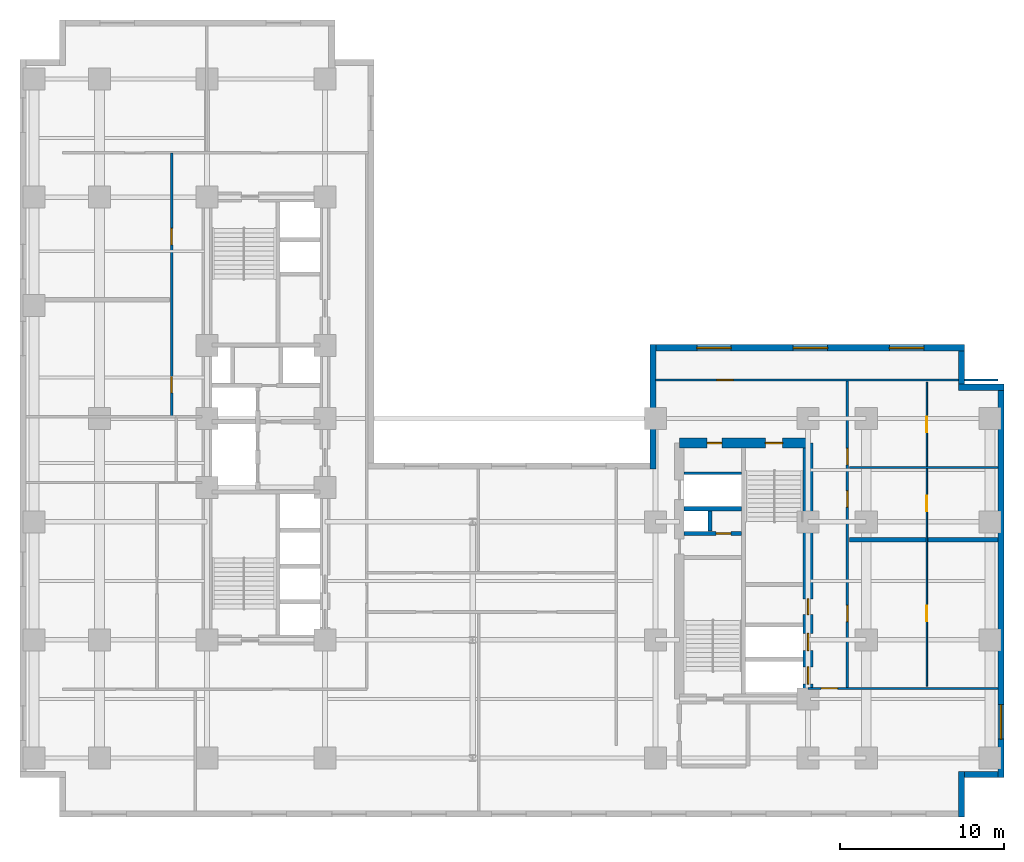
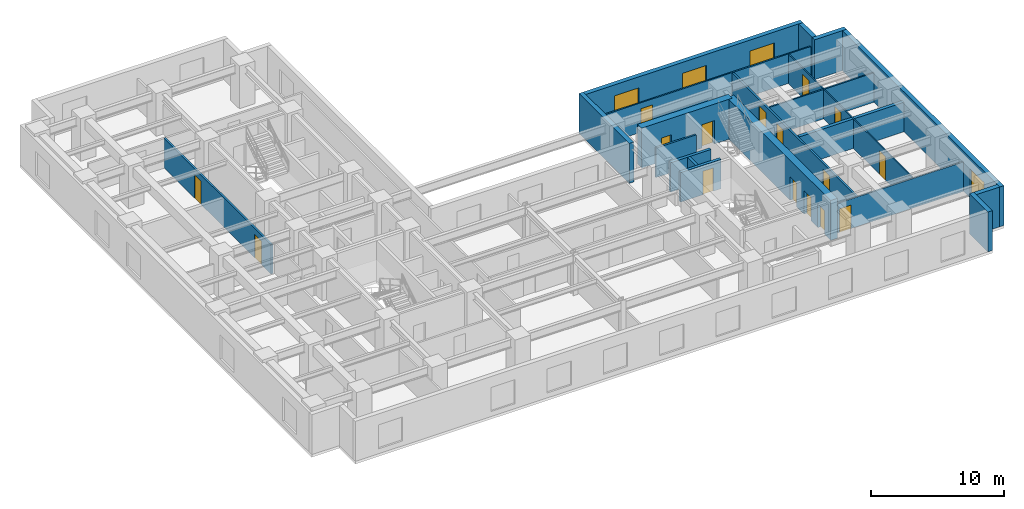
# One storey, part 5 of 9: 20 walls, 16 doors, 4 windows, 20 openings.
"""IFC4 building model written with IfcOpenShell, lengths in metres."""

import ifcopenshell
import ifcopenshell.guid

model = None  # the IFC model being written
_history = None  # IfcOwnerHistory: only IFC2X3 demands one
_inside = {}  # id of a spatial element -> (the spatial element, [elements in it])
_under = {}  # id of a project, library or spatial element -> (it, [spatial elements below it])
_declared = {}  # id of a project -> (the project, [libraries it declares])
_typed = {}  # id of a type object -> (the type object, [elements of that type])
_made_of = {}  # id of a material, layer set ... -> (it, [elements and type objects made of it])


def new_model(schema):
    """Start an empty IFC model of exactly this schema.

    Asked for "IFC4X3", IfcOpenShell would pick the latest addendum, in which some entities
    have other attributes; the version numbers below select the first issue.
    IFC2X3 requires an IfcOwnerHistory on every rooted entity: one is made here for all.
    """
    global model, _history
    if schema == "IFC4X3":
        model = ifcopenshell.file(schema_version=(4, 3, 0, 0))
    else:
        model = ifcopenshell.file(schema=schema)
    _inside.clear()
    _under.clear()
    _declared.clear()
    _typed.clear()
    _made_of.clear()
    _history = None
    if model.schema == "IFC2X3":
        org = make("IfcOrganization", Name="unknown")
        user = make(
            "IfcPersonAndOrganization",
            ThePerson=make("IfcPerson", FamilyName="unknown"),
            TheOrganization=org,
        )
        app = make(
            "IfcApplication",
            ApplicationDeveloper=org,
            Version="unknown",
            ApplicationFullName="unknown",
            ApplicationIdentifier="unknown",
        )
        _history = make(
            "IfcOwnerHistory",
            OwningUser=user,
            OwningApplication=app,
            ChangeAction="ADDED",
            CreationDate=0,
        )
    return model


def make(cls, **values):
    """One entity of the class cls with the attributes given. An attribute that is None is left unset."""
    return model.create_entity(
        cls, **{name: value for name, value in values.items() if value is not None}
    )


def entity(cls, *values):
    """Any entity or typed value of the class cls, its attributes in the order of the schema. None: left unset."""
    e = model.create_entity(cls)
    for i, value in enumerate(values):
        if value is not None:
            e[i] = value
    return e


def rooted(cls, **values):
    """An entity with a GlobalId (a new one), such as an element, a storey or a relation."""
    return make(cls, GlobalId=ifcopenshell.guid.new(), OwnerHistory=_history, **values)


def si_unit(unit_type, name, prefix=None):
    """IfcSIUnit, for example si_unit("LENGTHUNIT", "METRE", prefix="MILLI")."""
    return make("IfcSIUnit", UnitType=unit_type, Prefix=prefix, Name=name)


def converted_unit(unit_type, name, factor, base, dimensions=None, offset=None):
    """IfcConversionBasedUnit, such as the inch: factor (a typed value) times the base unit."""
    return make(
        "IfcConversionBasedUnit"
        if offset is None
        else "IfcConversionBasedUnitWithOffset",
        ConversionOffset=offset,
        Dimensions=None
        if dimensions is None
        else entity("IfcDimensionalExponents", *dimensions),
        UnitType=unit_type,
        Name=name,
        ConversionFactor=make(
            "IfcMeasureWithUnit", ValueComponent=factor, UnitComponent=base
        ),
    )


def assignment(units):
    """IfcUnitAssignment: the units of a project."""
    return None if units is None else make("IfcUnitAssignment", Units=units)


def point(xyz):
    """IfcCartesianPoint."""
    return None if xyz is None else make("IfcCartesianPoint", Coordinates=xyz)


def direction(xyz):
    """IfcDirection."""
    return None if xyz is None else make("IfcDirection", DirectionRatios=xyz)


def frame(location, z_axis=None, x_axis=None):
    """IfcAxis2Placement3D, a coordinate frame: its origin and axes. An axis left out is left unset."""
    return make(
        "IfcAxis2Placement3D",
        Location=point(location),
        Axis=direction(z_axis),
        RefDirection=direction(x_axis),
    )


def frame_2d(location, x_axis=None):
    """IfcAxis2Placement2D, a coordinate frame in the plane: its origin and x axis."""
    return make(
        "IfcAxis2Placement2D", Location=point(location), RefDirection=direction(x_axis)
    )


def origin_with_axes():
    """The frame at (0, 0, 0) with the z axis (0, 0, 1) and the x axis (1, 0, 0) written out."""
    return frame((0.0, 0.0, 0.0), z_axis=(0.0, 0.0, 1.0), x_axis=(1.0, 0.0, 0.0))


def origin_2d_with_axis():
    """The frame at (0, 0) in the plane with the x axis (1, 0) written out."""
    return frame_2d((0.0, 0.0), x_axis=(1.0, 0.0))


def place(relative_to, where):
    """IfcLocalPlacement: puts the frame where relative to a parent placement (None: the world)."""
    return make(
        "IfcLocalPlacement", PlacementRelTo=relative_to, RelativePlacement=where
    )


def context(
    kind, dimensions, precision=None, world=None, true_north=None, identifier=None
):
    """IfcGeometricRepresentationContext, for example the 3D "Model" context."""
    return make(
        "IfcGeometricRepresentationContext",
        ContextIdentifier=identifier,
        ContextType=kind,
        CoordinateSpaceDimension=dimensions,
        Precision=precision,
        WorldCoordinateSystem=world,
        TrueNorth=true_north,
    )


def subcontext(parent, identifier, kind, view, scale=None):
    """IfcGeometricRepresentationSubContext, for example "Body" below "Model"."""
    return make(
        "IfcGeometricRepresentationSubContext",
        ContextIdentifier=identifier,
        ContextType=kind,
        ParentContext=parent,
        TargetScale=scale,
        TargetView=view,
    )


def project(units=None, contexts=None):
    """IfcProject with its units and contexts."""
    return rooted(
        "IfcProject",
        Name="project",
        RepresentationContexts=contexts,
        UnitsInContext=assignment(units),
    )


def spatial(cls, under=None, at=None, **own):
    """A site, building, storey or space (cls), placed at a placement, below another one or the project."""
    s = rooted(cls, ObjectPlacement=at, **own)
    if under is not None:
        _under.setdefault(under.id(), (under, []))[1].append(s)
    return s


def polyline(points):
    """IfcPolyline through the points."""
    return make("IfcPolyline", Points=[point(p) for p in points])


def profile(cls, at=None, kind="AREA", **sizes):
    """A parametric profile (cls). Its sizes go by their IFC names, for example OverallWidth=200.0."""
    return make(cls, ProfileType=kind, Position=at, **sizes)


def rectangle(**sizes):
    """IfcRectangleProfileDef."""
    return profile("IfcRectangleProfileDef", **sizes)


def outline(outer, holes=None, kind="AREA"):
    """IfcArbitraryClosedProfileDef: a profile drawn as a closed curve; with holes, ...WithVoids."""
    if holes is None:
        return make("IfcArbitraryClosedProfileDef", ProfileType=kind, OuterCurve=outer)
    return make(
        "IfcArbitraryProfileDefWithVoids",
        ProfileType=kind,
        OuterCurve=outer,
        InnerCurves=holes,
    )


def extrude(swept, where, along, depth):
    """IfcExtrudedAreaSolid: the profile swept, set in the frame where, extruded along a direction by depth."""
    return make(
        "IfcExtrudedAreaSolid",
        SweptArea=swept,
        Position=where,
        ExtrudedDirection=direction(along),
        Depth=depth,
    )


def shape(context_of_items, identifier, shape_type, items):
    """IfcShapeRepresentation: the items that make up one representation, for example the "Body"."""
    return make(
        "IfcShapeRepresentation",
        ContextOfItems=context_of_items,
        RepresentationIdentifier=identifier,
        RepresentationType=shape_type,
        Items=items,
    )


def material(Name=None, Category=None):
    """IfcMaterial."""
    return make("IfcMaterial", Name=Name, Category=Category)


def layer(
    of_material, thickness, ventilated=None, Name=None, Category=None, Priority=None
):
    """IfcMaterialLayer: one layer of a wall or slab, of a material (None: an air gap)."""
    return make(
        "IfcMaterialLayer",
        Material=of_material,
        LayerThickness=thickness,
        IsVentilated=ventilated,
        Name=Name,
        Category=Category,
        Priority=Priority,
    )


def layer_set(layers, Name=None):
    """IfcMaterialLayerSet."""
    return make("IfcMaterialLayerSet", MaterialLayers=layers, LayerSetName=Name)


def made_of(thing, what):
    """Note that an element or type object is made of a material, layer set ...; save() writes the relation."""
    if what is not None:
        _made_of.setdefault(what.id(), (what, []))[1].append(thing)
    return thing


def type_object(cls, material=None, **own):
    """A type object (cls), such as IfcWallType, which elements share."""
    return made_of(rooted(cls, **own), material)


def element(
    cls,
    number,
    at=None,
    inside=None,
    cuts=None,
    type_object=None,
    material=None,
    context=None,
    identifier="Body",
    shape_type=None,
    held_by="IfcProductDefinitionShape",
    body=None,
    shapes=None,
    **own,
):
    """One element of the class cls, such as IfcWall. Its Tag is "e" and its number.

    at: its placement. inside: the storey or other place that contains it. cuts: it is an
    opening in that element (IfcRelVoidsElement). A single representation is given by context,
    identifier, shape_type and body (its items); several are given by shapes. held_by: the class
    of the entity that holds the representations. save() writes the other relations.
    """
    e = rooted(cls, Tag="e%d" % number, ObjectPlacement=at, **own)
    if body is not None:
        shapes = [shape(context, identifier, shape_type, body)]
    if shapes is not None:
        e.Representation = make(held_by, Representations=shapes)
    if inside is not None:
        _inside.setdefault(inside.id(), (inside, []))[1].append(e)
    if cuts is not None:
        rooted(
            "IfcRelVoidsElement", RelatingBuildingElement=cuts, RelatedOpeningElement=e
        )
    if type_object is not None:
        _typed.setdefault(type_object.id(), (type_object, []))[1].append(e)
    return made_of(e, material)


def fill(opening, filler):
    """IfcRelFillsElement: the door or window that sits in an opening."""
    return rooted(
        "IfcRelFillsElement",
        RelatingOpeningElement=opening,
        RelatedBuildingElement=filler,
    )


def aggregate(whole, parts):
    """IfcRelAggregates: a whole, such as a stair, and the parts it consists of."""
    return rooted("IfcRelAggregates", RelatingObject=whole, RelatedObjects=parts)


def save(model, path):
    """Write the relations noted so far, then the file.

    IfcRelAggregates (storeys below a building ...), IfcRelContainedInSpatialStructure (elements
    in a storey), IfcRelDefinesByType, IfcRelAssociatesMaterial and IfcRelDeclares: one each for
    every whole, place, type object, material and project.
    """
    for whole, parts in _under.values():
        aggregate(whole, parts)
    for where, things in _inside.values():
        rooted(
            "IfcRelContainedInSpatialStructure",
            RelatedElements=things,
            RelatingStructure=where,
        )
    for kind, things in _typed.values():
        rooted("IfcRelDefinesByType", RelatedObjects=things, RelatingType=kind)
    for what, things in _made_of.values():
        rooted("IfcRelAssociatesMaterial", RelatedObjects=things, RelatingMaterial=what)
    for by, libraries in _declared.values():
        rooted("IfcRelDeclares", RelatingContext=by, RelatedDefinitions=libraries)
    model.write(path)


model = new_model("IFC4")

# Units and contexts
model_context = context("Model", 3, precision=1e-05, world=origin_with_axes(), true_north=direction((0.0, 1.0)))
body_context = subcontext(model_context, "Body", "Model", "MODEL_VIEW")
ifc_project = project(units=[si_unit("LENGTHUNIT", "METRE"), si_unit("AREAUNIT", "SQUARE_METRE"), si_unit("VOLUMEUNIT", "CUBIC_METRE"), converted_unit("PLANEANGLEUNIT", "DEGREE", entity("IfcPlaneAngleMeasure", 0.017453292519943295), si_unit("PLANEANGLEUNIT", "RADIAN"), dimensions=[0, 0, 0, 0, 0, 0, 0]), si_unit("MASSUNIT", "GRAM", prefix="KILO"), si_unit("THERMODYNAMICTEMPERATUREUNIT", "KELVIN")], contexts=[model_context])

# Site, building, storey
site_placement = place(None, origin_with_axes())
site = spatial("IfcSite", under=ifc_project, at=site_placement, CompositionType="ELEMENT")
building_placement = place(site_placement, origin_with_axes())
building = spatial("IfcBuilding", under=site, at=building_placement, Name="Varnlund Millrace Tower", CompositionType="ELEMENT")
storey_placement = place(building_placement, frame((0.0, 0.0, 36.6), z_axis=(0.0, 0.0, 1.0), x_axis=(1.0, 0.0, 0.0)))
storey = spatial("IfcBuildingStorey", under=building, at=storey_placement, Name="L08", CompositionType="ELEMENT", Elevation=36.6)

# Wall, openings, doors
ifc_material_1 = material(Name="Concrete C80/95", Category="concrete")
ifc_layer_1 = layer(ifc_material_1, 0.6, Name="Concrete C80/95")
ifc_layer_set_1 = layer_set([ifc_layer_1], Name="Concrete C80/95")
wall_type_1 = type_object("IfcWallType", Name="Type-CoreWall-Shear-600-C80", PredefinedType="SHEAR", material=ifc_layer_set_1)
wall_1_placement = place(storey_placement, frame((40.2, 22.8, 0.0), z_axis=(0.0, 0.0, 1.0), x_axis=(1.0, 0.0, 0.0)))
wall_1 = element("IfcWall", 1, at=wall_1_placement, inside=storey, type_object=wall_type_1, Name="Type-CoreWall-Shear-600-C80", PredefinedType="SHEAR", context=body_context, shape_type="SweptSolid", body=[
    extrude(outline(polyline([(0.0, -0.3), (7.85, -0.3), (7.85, 0.3), (0.0, 0.3), (0.0, -0.3)])), origin_with_axes(), (0.0, 0.0, 1.0), 3.66),
])
opening_1_placement = place(wall_1_placement, frame((5.775, 0.0, 0.0), z_axis=(0.0, 0.0, 1.0), x_axis=(1.0, 0.0, 0.0)))
opening_1 = element("IfcOpeningElement", 2, at=opening_1_placement, cuts=wall_1, Name="Opening L08:DR-STB2", PredefinedType="OPENING", context=body_context, shape_type="SweptSolid", body=[
    extrude(rectangle(XDim=1.05, YDim=0.62, at=origin_2d_with_axis()), origin_with_axes(), (0.0, 0.0, 1.0), 2.15),
])
opening_2_placement = place(wall_1_placement, frame((2.15, 0.0, 0.0), z_axis=(0.0, 0.0, 1.0), x_axis=(1.0, 0.0, 0.0)))
opening_2 = element("IfcOpeningElement", 3, at=opening_2_placement, cuts=wall_1, Name="Opening L08:DR-CB-NW", PredefinedType="OPENING", context=body_context, shape_type="SweptSolid", body=[
    extrude(rectangle(XDim=0.9, YDim=0.62, at=origin_2d_with_axis()), origin_with_axes(), (0.0, 0.0, 1.0), 2.15),
])
ifc_material_2 = material(Name="Fire-rated hollow steel service closet door", Category="steel")
door_type_1 = type_object("IfcDoorType", Name="Type-FireDoor-Closet-900X2150", OperationType="NOTDEFINED", PredefinedType="DOOR", material=ifc_material_2)
door_1_placement = place(wall_1_placement, frame((2.15, 0.0, 0.0), z_axis=(0.0, 0.0, 1.0), x_axis=(1.0, 0.0, 0.0)))
door_1 = element("IfcDoor", 4, at=door_1_placement, inside=storey, type_object=door_type_1, Name="Type-FireDoor-Closet-900X2150", OperationType="SINGLE_SWING_LEFT", OverallHeight=2.15, OverallWidth=0.9, PredefinedType="DOOR", context=body_context, shape_type="SweptSolid", body=[
    extrude(rectangle(XDim=0.9, YDim=0.09, at=origin_2d_with_axis()), origin_with_axes(), (0.0, 0.0, 1.0), 2.15),
])
fill(opening_2, door_1)
ifc_material_3 = material(Name="Fire-rated hollow steel door", Category="steel")
door_type_2 = type_object("IfcDoorType", Name="Type-FireDoor-Stair-1050X2150", OperationType="NOTDEFINED", PredefinedType="DOOR", material=ifc_material_3)
door_2_placement = place(wall_1_placement, frame((5.775, 0.0, 0.0), z_axis=(0.0, 0.0, 1.0), x_axis=(1.0, 0.0, 0.0)))
door_2 = element("IfcDoor", 5, at=door_2_placement, inside=storey, type_object=door_type_2, Name="Type-FireDoor-Stair-1050X2150", OperationType="SINGLE_SWING_RIGHT", OverallHeight=2.15, OverallWidth=1.05, PredefinedType="DOOR", context=body_context, shape_type="SweptSolid", body=[
    extrude(rectangle(XDim=1.05, YDim=0.09, at=origin_2d_with_axis()), origin_with_axes(), (0.0, 0.0, 1.0), 2.15),
])
fill(opening_1, door_2)

wall_2_placement = place(storey_placement, frame((48.05, 7.2, 0.0), z_axis=(0.0, 0.0, 1.0), x_axis=(0.0, 1.0, 0.0)))
wall_2 = element("IfcWall", 6, at=wall_2_placement, inside=storey, type_object=wall_type_1, Name="Type-CoreWall-Shear-600-C80", PredefinedType="SHEAR", context=body_context, shape_type="SweptSolid", body=[
    extrude(outline(polyline([(0.0, -0.3), (15.6, -0.3), (15.6, 0.3), (0.0, 0.3), (0.0, -0.3)])), origin_with_axes(), (0.0, 0.0, 1.0), 3.66),
])
opening_3_placement = place(wall_2_placement, frame((1.425, 0.0, 0.0), z_axis=(0.0, 0.0, 1.0), x_axis=(1.0, 0.0, 0.0)))
opening_3 = element("IfcOpeningElement", 7, at=opening_3_placement, cuts=wall_2, Name="Opening L08:LD-ELV-L3", PredefinedType="OPENING", context=body_context, shape_type="SweptSolid", body=[
    extrude(rectangle(XDim=1.05, YDim=0.62, at=origin_2d_with_axis()), origin_with_axes(), (0.0, 0.0, 1.0), 2.15),
])
opening_4_placement = place(wall_2_placement, frame((3.475, 0.0, 0.0), z_axis=(0.0, 0.0, 1.0), x_axis=(1.0, 0.0, 0.0)))
opening_4 = element("IfcOpeningElement", 8, at=opening_4_placement, cuts=wall_2, Name="Opening L08:LD-ELV-L4", PredefinedType="OPENING", context=body_context, shape_type="SweptSolid", body=[
    extrude(rectangle(XDim=1.05, YDim=0.62, at=origin_2d_with_axis()), origin_with_axes(), (0.0, 0.0, 1.0), 2.15),
])
opening_5_placement = place(wall_2_placement, frame((5.625, 0.0, 0.0), z_axis=(0.0, 0.0, 1.0), x_axis=(1.0, 0.0, 0.0)))
opening_5 = element("IfcOpeningElement", 9, at=opening_5_placement, cuts=wall_2, Name="Opening L08:DR-CB-WC", PredefinedType="OPENING", context=body_context, shape_type="SweptSolid", body=[
    extrude(rectangle(XDim=0.95, YDim=0.62, at=origin_2d_with_axis()), origin_with_axes(), (0.0, 0.0, 1.0), 2.15),
])
ifc_material_4 = material(Name="Fire-rated hollow steel core service door", Category="steel")
door_type_3 = type_object("IfcDoorType", Name="Type-FireDoor-Service-950X2150", OperationType="NOTDEFINED", PredefinedType="DOOR", material=ifc_material_4)
door_3_placement = place(wall_2_placement, frame((5.625, 0.0, 0.0), z_axis=(0.0, 0.0, 1.0), x_axis=(1.0, 0.0, 0.0)))
door_3 = element("IfcDoor", 10, at=door_3_placement, inside=storey, type_object=door_type_3, Name="Type-FireDoor-Service-950X2150", OperationType="SINGLE_SWING_LEFT", OverallHeight=2.15, OverallWidth=0.95, PredefinedType="DOOR", context=body_context, shape_type="SweptSolid", body=[
    extrude(rectangle(XDim=0.95, YDim=0.09, at=origin_2d_with_axis()), origin_with_axes(), (0.0, 0.0, 1.0), 2.15),
])
fill(opening_5, door_3)
ifc_material_5 = material(Name="Architectural bronze sliding landing door")
door_type_4 = type_object("IfcDoorType", Name="Type-LiftLandingDoor-Compact-1050X2150", OperationType="NOTDEFINED", PredefinedType="DOOR", material=ifc_material_5)
door_4_placement = place(wall_2_placement, frame((1.425, 0.0, 0.0), z_axis=(0.0, 0.0, 1.0), x_axis=(1.0, 0.0, 0.0)))
door_4 = element("IfcDoor", 11, at=door_4_placement, inside=storey, type_object=door_type_4, Name="Type-LiftLandingDoor-Compact-1050X2150", OperationType="SLIDING_TO_LEFT", OverallHeight=2.15, OverallWidth=1.05, PredefinedType="DOOR", context=body_context, shape_type="SweptSolid", body=[
    extrude(rectangle(XDim=1.05, YDim=0.09, at=origin_2d_with_axis()), origin_with_axes(), (0.0, 0.0, 1.0), 2.15),
])
fill(opening_3, door_4)
door_5_placement = place(wall_2_placement, frame((3.475, 0.0, 0.0), z_axis=(0.0, 0.0, 1.0), x_axis=(1.0, 0.0, 0.0)))
door_5 = element("IfcDoor", 12, at=door_5_placement, inside=storey, type_object=door_type_4, Name="Type-LiftLandingDoor-Compact-1050X2150", OperationType="SLIDING_TO_RIGHT", OverallHeight=2.15, OverallWidth=1.05, PredefinedType="DOOR", context=body_context, shape_type="SweptSolid", body=[
    extrude(rectangle(XDim=1.05, YDim=0.09, at=origin_2d_with_axis()), origin_with_axes(), (0.0, 0.0, 1.0), 2.15),
])
fill(opening_4, door_5)

# Wall
ifc_material_6 = material(Name="Precast concrete C50/60", Category="concrete")
ifc_layer_2 = layer(ifc_material_6, 0.38, Name="Precast concrete C50/60")
ifc_layer_set_2 = layer_set([ifc_layer_2], Name="Precast concrete C50/60")
wall_type_2 = type_object("IfcWallType", Name="Type-ExtWall-Precast-Tube-380", PredefinedType="SOLIDWALL", material=ifc_layer_set_2)
wall_3_placement = place(storey_placement, frame((38.59, 21.22, 0.0), z_axis=(0.0, 0.0, 1.0), x_axis=(0.0, 1.0, 0.0)))
element("IfcWall", 13, at=wall_3_placement, inside=storey, type_object=wall_type_2, Name="Type-ExtWall-Precast-Tube-380", PredefinedType="SOLIDWALL", context=body_context, shape_type="SweptSolid", body=[
    extrude(outline(polyline([(0.0, -0.19), (7.58, -0.19), (7.58, 0.19), (0.0, 0.19), (0.0, -0.19)])), origin_with_axes(), (0.0, 0.0, 1.0), 3.66),
])

# Wall, openings, windows
wall_4_placement = place(storey_placement, frame((38.78, 28.61, 0.0), z_axis=(0.0, 0.0, 1.0), x_axis=(1.0, 0.0, 0.0)))
wall_4 = element("IfcWall", 14, at=wall_4_placement, inside=storey, type_object=wall_type_2, Name="Type-ExtWall-Precast-Tube-380", PredefinedType="SOLIDWALL", context=body_context, shape_type="SweptSolid", body=[
    extrude(outline(polyline([(0.0, -0.19), (18.82, -0.19), (18.82, 0.19), (0.0, 0.19), (0.0, -0.19)])), origin_with_axes(), (0.0, 0.0, 1.0), 3.66),
])
opening_6_placement = place(wall_4_placement, frame((3.537, 0.0, 0.45), z_axis=(0.0, 0.0, 1.0), x_axis=(1.0, 0.0, 0.0)))
opening_6 = element("IfcOpeningElement", 15, at=opening_6_placement, cuts=wall_4, Name="Opening L08:WN-01", PredefinedType="OPENING", context=body_context, shape_type="SweptSolid", body=[
    extrude(rectangle(XDim=2.1, YDim=0.4, at=origin_2d_with_axis()), origin_with_axes(), (0.0, 0.0, 1.0), 2.2),
])
opening_7_placement = place(wall_4_placement, frame((9.41, 0.0, 0.45), z_axis=(0.0, 0.0, 1.0), x_axis=(1.0, 0.0, 0.0)))
opening_7 = element("IfcOpeningElement", 16, at=opening_7_placement, cuts=wall_4, Name="Opening L08:WN-02", PredefinedType="OPENING", context=body_context, shape_type="SweptSolid", body=[
    extrude(rectangle(XDim=2.1, YDim=0.4, at=origin_2d_with_axis()), origin_with_axes(), (0.0, 0.0, 1.0), 2.2),
])
opening_8_placement = place(wall_4_placement, frame((15.283, 0.0, 0.45), z_axis=(0.0, 0.0, 1.0), x_axis=(1.0, 0.0, 0.0)))
opening_8 = element("IfcOpeningElement", 17, at=opening_8_placement, cuts=wall_4, Name="Opening L08:WN-03", PredefinedType="OPENING", context=body_context, shape_type="SweptSolid", body=[
    extrude(rectangle(XDim=2.1, YDim=0.4, at=origin_2d_with_axis()), origin_with_axes(), (0.0, 0.0, 1.0), 2.2),
])
ifc_material_7 = material(Name="Argon low-e triple glazing in thermally broken bronze frame", Category="glass")
window_type = type_object("IfcWindowType", Name="Type-Window-Punched-2100X2200", PartitioningType="SINGLE_PANEL", PredefinedType="WINDOW", material=ifc_material_7)
window_1_placement = place(wall_4_placement, frame((3.537, 0.0, 0.45), z_axis=(0.0, 0.0, 1.0), x_axis=(1.0, 0.0, 0.0)))
window_1 = element("IfcWindow", 18, at=window_1_placement, inside=storey, type_object=window_type, Name="Type-Window-Punched-2100X2200", OverallHeight=2.2, OverallWidth=2.1, PredefinedType="WINDOW", context=body_context, shape_type="SweptSolid", body=[
    extrude(rectangle(XDim=2.1, YDim=0.09, at=origin_2d_with_axis()), origin_with_axes(), (0.0, 0.0, 1.0), 2.2),
])
fill(opening_6, window_1)
window_2_placement = place(wall_4_placement, frame((9.41, 0.0, 0.45), z_axis=(0.0, 0.0, 1.0), x_axis=(1.0, 0.0, 0.0)))
window_2 = element("IfcWindow", 19, at=window_2_placement, inside=storey, type_object=window_type, Name="Type-Window-Punched-2100X2200", OverallHeight=2.2, OverallWidth=2.1, PredefinedType="WINDOW", context=body_context, shape_type="SweptSolid", body=[
    extrude(rectangle(XDim=2.1, YDim=0.09, at=origin_2d_with_axis()), origin_with_axes(), (0.0, 0.0, 1.0), 2.2),
])
fill(opening_7, window_2)
window_3_placement = place(wall_4_placement, frame((15.283, 0.0, 0.45), z_axis=(0.0, 0.0, 1.0), x_axis=(1.0, 0.0, 0.0)))
window_3 = element("IfcWindow", 20, at=window_3_placement, inside=storey, type_object=window_type, Name="Type-Window-Punched-2100X2200", OverallHeight=2.2, OverallWidth=2.1, PredefinedType="WINDOW", context=body_context, shape_type="SweptSolid", body=[
    extrude(rectangle(XDim=2.1, YDim=0.09, at=origin_2d_with_axis()), origin_with_axes(), (0.0, 0.0, 1.0), 2.2),
])
fill(opening_8, window_3)

# Walls
wall_5_placement = place(storey_placement, frame((57.41, 28.42, 0.0), z_axis=(0.0, 0.0, 1.0), x_axis=(0.0, -1.0, 0.0)))
element("IfcWall", 21, at=wall_5_placement, inside=storey, type_object=wall_type_2, Name="Type-ExtWall-Precast-Tube-380", PredefinedType="SOLIDWALL", context=body_context, shape_type="SweptSolid", body=[
    extrude(outline(polyline([(0.0, -0.19), (2.02, -0.19), (2.02, 0.19), (0.0, 0.19), (0.0, -0.19)])), origin_with_axes(), (0.0, 0.0, 1.0), 3.66),
])
wall_6_placement = place(storey_placement, frame((57.22, 26.21, 0.0), z_axis=(0.0, 0.0, 1.0), x_axis=(1.0, 0.0, 0.0)))
element("IfcWall", 22, at=wall_6_placement, inside=storey, type_object=wall_type_2, Name="Type-ExtWall-Precast-Tube-380", PredefinedType="SOLIDWALL", context=body_context, shape_type="SweptSolid", body=[
    extrude(outline(polyline([(0.0, -0.19), (2.78, -0.19), (2.78, 0.19), (0.0, 0.19), (0.0, -0.19)])), origin_with_axes(), (0.0, 0.0, 1.0), 3.66),
])

# Wall, opening, window
wall_7_placement = place(storey_placement, frame((59.81, 26.02, 0.0), z_axis=(0.0, 0.0, 1.0), x_axis=(0.0, -1.0, 0.0)))
wall_7 = element("IfcWall", 23, at=wall_7_placement, inside=storey, type_object=wall_type_2, Name="Type-ExtWall-Precast-Tube-380", PredefinedType="SOLIDWALL", context=body_context, shape_type="SweptSolid", body=[
    extrude(outline(polyline([(0.0, -0.19), (23.62, -0.19), (23.62, 0.19), (0.0, 0.19), (0.0, -0.19)])), origin_with_axes(), (0.0, 0.0, 1.0), 3.66),
])
opening_9_placement = place(wall_7_placement, frame((20.218, 0.0, 0.45), z_axis=(0.0, 0.0, 1.0), x_axis=(1.0, 0.0, 0.0)))
opening_9 = element("IfcOpeningElement", 24, at=opening_9_placement, cuts=wall_7, Name="Opening L08:WN-04", PredefinedType="OPENING", context=body_context, shape_type="SweptSolid", body=[
    extrude(rectangle(XDim=2.1, YDim=0.4, at=origin_2d_with_axis()), origin_with_axes(), (0.0, 0.0, 1.0), 2.2),
])
window_4_placement = place(wall_7_placement, frame((20.218, 0.0, 0.45), z_axis=(0.0, 0.0, 1.0), x_axis=(1.0, 0.0, 0.0)))
window_4 = element("IfcWindow", 25, at=window_4_placement, inside=storey, type_object=window_type, Name="Type-Window-Punched-2100X2200", OverallHeight=2.2, OverallWidth=2.1, PredefinedType="WINDOW", context=body_context, shape_type="SweptSolid", body=[
    extrude(rectangle(XDim=2.1, YDim=0.09, at=origin_2d_with_axis()), origin_with_axes(), (0.0, 0.0, 1.0), 2.2),
])
fill(opening_9, window_4)

# Walls
wall_8_placement = place(storey_placement, frame((59.62, 2.59, 0.0), z_axis=(0.0, 0.0, 1.0), x_axis=(-1.0, 0.0, 0.0)))
element("IfcWall", 26, at=wall_8_placement, inside=storey, type_object=wall_type_2, Name="Type-ExtWall-Precast-Tube-380", PredefinedType="SOLIDWALL", context=body_context, shape_type="SweptSolid", body=[
    extrude(outline(polyline([(0.0, -0.19), (2.02, -0.19), (2.02, 0.19), (0.0, 0.19), (0.0, -0.19)])), origin_with_axes(), (0.0, 0.0, 1.0), 3.66),
])
wall_9_placement = place(storey_placement, frame((57.41, 2.78, 0.0), z_axis=(0.0, 0.0, 1.0), x_axis=(0.0, -1.0, 0.0)))
element("IfcWall", 27, at=wall_9_placement, inside=storey, type_object=wall_type_2, Name="Type-ExtWall-Precast-Tube-380", PredefinedType="SOLIDWALL", context=body_context, shape_type="SweptSolid", body=[
    extrude(outline(polyline([(0.0, -0.19), (2.78, -0.19), (2.78, 0.19), (0.0, 0.19), (0.0, -0.19)])), origin_with_axes(), (0.0, 0.0, 1.0), 3.66),
])
ifc_material_8 = material(Name="Double-stud STC-60 conference acoustic partition", Category="gypsum")
ifc_layer_3 = layer(ifc_material_8, 0.28, Name="Double-stud STC-60 conference acoustic partition")
ifc_layer_set_3 = layer_set([ifc_layer_3], Name="Double-stud STC-60 conference acoustic partition")
wall_type_3 = type_object("IfcWallType", Name="Type-Partition-Acoustic-280", PredefinedType="PARTITIONING", material=ifc_layer_set_3)
wall_10_placement = place(storey_placement, frame((50.57, 16.918, 0.0), z_axis=(0.0, 0.0, 1.0), x_axis=(1.0, 0.0, 0.0)))
element("IfcWall", 28, at=wall_10_placement, inside=storey, type_object=wall_type_3, Name="Type-Partition-Acoustic-280", PredefinedType="PARTITIONING", context=body_context, shape_type="SweptSolid", body=[
    extrude(outline(polyline([(0.0, -0.14), (9.055, -0.14), (9.055, 0.14), (0.0, 0.14), (0.0, -0.14)])), origin_with_axes(), (0.0, 0.0, 1.0), 2.7),
])
ifc_material_9 = material(Name="Fire-rated gypsum board on cold-formed steel framing", Category="steel")
ifc_layer_4 = layer(ifc_material_9, 0.16, Name="Fire-rated gypsum board on cold-formed steel framing")
ifc_layer_set_4 = layer_set([ifc_layer_4], Name="Fire-rated gypsum board on cold-formed steel framing")
wall_type_4 = type_object("IfcWallType", Name="Type-Partition-Corridor-160", PredefinedType="PARTITIONING", material=ifc_layer_set_4)
wall_11_placement = place(storey_placement, frame((40.5, 20.96, 0.0), z_axis=(0.0, 0.0, 1.0), x_axis=(1.0, 0.0, 0.0)))
element("IfcWall", 29, at=wall_11_placement, inside=storey, type_object=wall_type_4, Name="Type-Partition-Corridor-160", PredefinedType="PARTITIONING", context=body_context, shape_type="SweptSolid", body=[
    extrude(outline(polyline([(0.0, -0.08), (3.5, -0.08), (3.5, 0.08), (0.0, 0.08), (0.0, -0.08)])), origin_with_axes(), (0.0, 0.0, 1.0), 2.7),
])

# Wall, openings, doors
wall_12_placement = place(storey_placement, frame((9.25, 24.4, 0.0), z_axis=(0.0, 0.0, 1.0), x_axis=(0.0, 1.0, 0.0)))
wall_12 = element("IfcWall", 30, at=wall_12_placement, inside=storey, type_object=wall_type_4, Name="Type-Partition-Corridor-160", PredefinedType="PARTITIONING", context=body_context, shape_type="SweptSolid", body=[
    extrude(outline(polyline([(0.0, -0.08), (16.1, -0.08), (16.1, 0.08), (0.0, 0.08), (0.0, -0.08)])), origin_with_axes(), (0.0, 0.0, 1.0), 2.7),
])
opening_10_placement = place(wall_12_placement, frame((1.958, 0.0, 0.0), z_axis=(0.0, 0.0, 1.0), x_axis=(1.0, 0.0, 0.0)))
opening_10 = element("IfcOpeningElement", 31, at=opening_10_placement, cuts=wall_12, Name="Opening L08:DR-WN-01", PredefinedType="OPENING", context=body_context, shape_type="SweptSolid", body=[
    extrude(rectangle(XDim=1.0, YDim=0.18, at=origin_2d_with_axis()), origin_with_axes(), (0.0, 0.0, 1.0), 2.15),
])
opening_11_placement = place(wall_12_placement, frame((10.992, 0.0, 0.0), z_axis=(0.0, 0.0, 1.0), x_axis=(1.0, 0.0, 0.0)))
opening_11 = element("IfcOpeningElement", 32, at=opening_11_placement, cuts=wall_12, Name="Opening L08:DR-WN-02", PredefinedType="OPENING", context=body_context, shape_type="SweptSolid", body=[
    extrude(rectangle(XDim=1.0, YDim=0.18, at=origin_2d_with_axis()), origin_with_axes(), (0.0, 0.0, 1.0), 2.15),
])
ifc_material_10 = material(Name="Solid-core white oak and bronze frame door")
door_type_5 = type_object("IfcDoorType", Name="Type-IntDoor-Office-1000X2150", OperationType="NOTDEFINED", PredefinedType="DOOR", material=ifc_material_10)
door_6_placement = place(wall_12_placement, frame((1.958, 0.0, 0.0), z_axis=(0.0, 0.0, 1.0), x_axis=(1.0, 0.0, 0.0)))
door_6 = element("IfcDoor", 33, at=door_6_placement, inside=storey, type_object=door_type_5, Name="Type-IntDoor-Office-1000X2150", OperationType="SINGLE_SWING_LEFT", OverallHeight=2.15, OverallWidth=1.0, PredefinedType="DOOR", context=body_context, shape_type="SweptSolid", body=[
    extrude(rectangle(XDim=1.0, YDim=0.09, at=origin_2d_with_axis()), origin_with_axes(), (0.0, 0.0, 1.0), 2.15),
])
fill(opening_10, door_6)
door_7_placement = place(wall_12_placement, frame((10.992, 0.0, 0.0), z_axis=(0.0, 0.0, 1.0), x_axis=(1.0, 0.0, 0.0)))
door_7 = element("IfcDoor", 34, at=door_7_placement, inside=storey, type_object=door_type_5, Name="Type-IntDoor-Office-1000X2150", OperationType="SINGLE_SWING_RIGHT", OverallHeight=2.15, OverallWidth=1.0, PredefinedType="DOOR", context=body_context, shape_type="SweptSolid", body=[
    extrude(rectangle(XDim=1.0, YDim=0.09, at=origin_2d_with_axis()), origin_with_axes(), (0.0, 0.0, 1.0), 2.15),
])
fill(opening_11, door_7)

wall_13_placement = place(storey_placement, frame((50.45, 7.85, 0.0), z_axis=(0.0, 0.0, 1.0), x_axis=(0.0, 1.0, 0.0)))
wall_13 = element("IfcWall", 35, at=wall_13_placement, inside=storey, type_object=wall_type_4, Name="Type-Partition-Corridor-160", PredefinedType="PARTITIONING", context=body_context, shape_type="SweptSolid", body=[
    extrude(outline(polyline([(0.0, -0.08), (18.8, -0.08), (18.8, 0.08), (0.0, 0.08), (0.0, -0.08)])), origin_with_axes(), (0.0, 0.0, 1.0), 2.7),
])
opening_12_placement = place(wall_13_placement, frame((4.564, 0.0, 0.0), z_axis=(0.0, 0.0, 1.0), x_axis=(1.0, 0.0, 0.0)))
opening_12 = element("IfcOpeningElement", 36, at=opening_12_placement, cuts=wall_13, Name="Opening L08:DR-WB-01", PredefinedType="OPENING", context=body_context, shape_type="SweptSolid", body=[
    extrude(rectangle(XDim=1.0, YDim=0.18, at=origin_2d_with_axis()), origin_with_axes(), (0.0, 0.0, 1.0), 2.15),
])
opening_13_placement = place(wall_13_placement, frame((11.541, 0.0, 0.0), z_axis=(0.0, 0.0, 1.0), x_axis=(1.0, 0.0, 0.0)))
opening_13 = element("IfcOpeningElement", 37, at=opening_13_placement, cuts=wall_13, Name="Opening L08:DR-WB-02", PredefinedType="OPENING", context=body_context, shape_type="SweptSolid", body=[
    extrude(rectangle(XDim=1.0, YDim=0.18, at=origin_2d_with_axis()), origin_with_axes(), (0.0, 0.0, 1.0), 2.15),
])
opening_14_placement = place(wall_13_placement, frame((14.125, 0.0, 0.0), z_axis=(0.0, 0.0, 1.0), x_axis=(1.0, 0.0, 0.0)))
opening_14 = element("IfcOpeningElement", 38, at=opening_14_placement, cuts=wall_13, Name="Opening L08:DR-WB-03", PredefinedType="OPENING", context=body_context, shape_type="SweptSolid", body=[
    extrude(rectangle(XDim=1.0, YDim=0.18, at=origin_2d_with_axis()), origin_with_axes(), (0.0, 0.0, 1.0), 2.15),
])
door_8_placement = place(wall_13_placement, frame((4.564, 0.0, 0.0), z_axis=(0.0, 0.0, 1.0), x_axis=(1.0, 0.0, 0.0)))
door_8 = element("IfcDoor", 39, at=door_8_placement, inside=storey, type_object=door_type_5, Name="Type-IntDoor-Office-1000X2150", OperationType="SINGLE_SWING_LEFT", OverallHeight=2.15, OverallWidth=1.0, PredefinedType="DOOR", context=body_context, shape_type="SweptSolid", body=[
    extrude(rectangle(XDim=1.0, YDim=0.09, at=origin_2d_with_axis()), origin_with_axes(), (0.0, 0.0, 1.0), 2.15),
])
fill(opening_12, door_8)
door_9_placement = place(wall_13_placement, frame((11.541, 0.0, 0.0), z_axis=(0.0, 0.0, 1.0), x_axis=(1.0, 0.0, 0.0)))
door_9 = element("IfcDoor", 40, at=door_9_placement, inside=storey, type_object=door_type_5, Name="Type-IntDoor-Office-1000X2150", OperationType="SINGLE_SWING_RIGHT", OverallHeight=2.15, OverallWidth=1.0, PredefinedType="DOOR", context=body_context, shape_type="SweptSolid", body=[
    extrude(rectangle(XDim=1.0, YDim=0.09, at=origin_2d_with_axis()), origin_with_axes(), (0.0, 0.0, 1.0), 2.15),
])
fill(opening_13, door_9)
door_10_placement = place(wall_13_placement, frame((14.125, 0.0, 0.0), z_axis=(0.0, 0.0, 1.0), x_axis=(1.0, 0.0, 0.0)))
door_10 = element("IfcDoor", 41, at=door_10_placement, inside=storey, type_object=door_type_5, Name="Type-IntDoor-Office-1000X2150", OperationType="SINGLE_SWING_LEFT", OverallHeight=2.15, OverallWidth=1.0, PredefinedType="DOOR", context=body_context, shape_type="SweptSolid", body=[
    extrude(rectangle(XDim=1.0, YDim=0.09, at=origin_2d_with_axis()), origin_with_axes(), (0.0, 0.0, 1.0), 2.15),
])
fill(opening_14, door_10)

ifc_material_11 = material(Name="Architectural bronze and acoustic glass office front", Category="glass")
ifc_layer_5 = layer(ifc_material_11, 0.1, Name="Architectural bronze and acoustic glass office front")
ifc_layer_set_5 = layer_set([ifc_layer_5], Name="Architectural bronze and acoustic glass office front")
wall_type_5 = type_object("IfcWallType", Name="Type-Partition-Glazed-100", PredefinedType="PARTITIONING", material=ifc_layer_set_5)
wall_14_placement = place(storey_placement, frame((55.3, 7.98, 0.0), z_axis=(0.0, 0.0, 1.0), x_axis=(0.0, 1.0, 0.0)))
wall_14 = element("IfcWall", 42, at=wall_14_placement, inside=storey, type_object=wall_type_5, Name="Type-Partition-Glazed-100", PredefinedType="PARTITIONING", context=body_context, shape_type="SweptSolid", body=[
    extrude(outline(polyline([(0.0, -0.05), (18.54, -0.05), (18.54, 0.05), (0.0, 0.05), (0.0, -0.05)])), origin_with_axes(), (0.0, 0.0, 1.0), 2.7),
])
opening_15_placement = place(wall_14_placement, frame((4.434, 0.0, 0.0), z_axis=(0.0, 0.0, 1.0), x_axis=(1.0, 0.0, 0.0)))
opening_15 = element("IfcOpeningElement", 43, at=opening_15_placement, cuts=wall_14, Name="Opening L08:DR-WB-S01", PredefinedType="OPENING", context=body_context, shape_type="SweptSolid", body=[
    extrude(rectangle(XDim=0.95, YDim=0.12, at=origin_2d_with_axis()), origin_with_axes(), (0.0, 0.0, 1.0), 2.15),
])
opening_16_placement = place(wall_14_placement, frame((11.1315, 0.0, 0.0), z_axis=(0.0, 0.0, 1.0), x_axis=(1.0, 0.0, 0.0)))
opening_16 = element("IfcOpeningElement", 44, at=opening_16_placement, cuts=wall_14, Name="Opening L08:DR-WB-S02", PredefinedType="OPENING", context=body_context, shape_type="SweptSolid", body=[
    extrude(rectangle(XDim=0.95, YDim=0.12, at=origin_2d_with_axis()), origin_with_axes(), (0.0, 0.0, 1.0), 2.15),
])
opening_17_placement = place(wall_14_placement, frame((15.9675, 0.0, 0.0), z_axis=(0.0, 0.0, 1.0), x_axis=(1.0, 0.0, 0.0)))
opening_17 = element("IfcOpeningElement", 45, at=opening_17_placement, cuts=wall_14, Name="Opening L08:DR-WB-S03", PredefinedType="OPENING", context=body_context, shape_type="SweptSolid", body=[
    extrude(rectangle(XDim=0.95, YDim=0.12, at=origin_2d_with_axis()), origin_with_axes(), (0.0, 0.0, 1.0), 2.15),
])
ifc_material_12 = material(Name="Solid-core acoustic office door")
door_type_6 = type_object("IfcDoorType", Name="Type-IntDoor-Tenant-950X2150", OperationType="NOTDEFINED", PredefinedType="DOOR", material=ifc_material_12)
door_11_placement = place(wall_14_placement, frame((4.434, 0.0, 0.0), z_axis=(0.0, 0.0, 1.0), x_axis=(1.0, 0.0, 0.0)))
door_11 = element("IfcDoor", 46, at=door_11_placement, inside=storey, type_object=door_type_6, Name="Type-IntDoor-Tenant-950X2150", OperationType="SINGLE_SWING_LEFT", OverallHeight=2.15, OverallWidth=0.95, PredefinedType="DOOR", context=body_context, shape_type="SweptSolid", body=[
    extrude(rectangle(XDim=0.95, YDim=0.06, at=origin_2d_with_axis()), origin_with_axes(), (0.0, 0.0, 1.0), 2.15),
])
fill(opening_15, door_11)
door_12_placement = place(wall_14_placement, frame((11.1315, 0.0, 0.0), z_axis=(0.0, 0.0, 1.0), x_axis=(1.0, 0.0, 0.0)))
door_12 = element("IfcDoor", 47, at=door_12_placement, inside=storey, type_object=door_type_6, Name="Type-IntDoor-Tenant-950X2150", OperationType="SINGLE_SWING_LEFT", OverallHeight=2.15, OverallWidth=0.95, PredefinedType="DOOR", context=body_context, shape_type="SweptSolid", body=[
    extrude(rectangle(XDim=0.95, YDim=0.06, at=origin_2d_with_axis()), origin_with_axes(), (0.0, 0.0, 1.0), 2.15),
])
fill(opening_16, door_12)
door_13_placement = place(wall_14_placement, frame((15.9675, 0.0, 0.0), z_axis=(0.0, 0.0, 1.0), x_axis=(1.0, 0.0, 0.0)))
door_13 = element("IfcDoor", 48, at=door_13_placement, inside=storey, type_object=door_type_6, Name="Type-IntDoor-Tenant-950X2150", OperationType="SINGLE_SWING_LEFT", OverallHeight=2.15, OverallWidth=0.95, PredefinedType="DOOR", context=body_context, shape_type="SweptSolid", body=[
    extrude(rectangle(XDim=0.95, YDim=0.06, at=origin_2d_with_axis()), origin_with_axes(), (0.0, 0.0, 1.0), 2.15),
])
fill(opening_17, door_13)

# Wall, opening, door
ifc_material_13 = material(Name="Gypsum board tenant partition", Category="gypsum")
ifc_layer_6 = layer(ifc_material_13, 0.125, Name="Gypsum board tenant partition")
ifc_layer_set_6 = layer_set([ifc_layer_6], Name="Gypsum board tenant partition")
wall_type_6 = type_object("IfcWallType", Name="Type-Partition-Tenant-125", PredefinedType="PARTITIONING", material=ifc_layer_set_6)
wall_15_placement = place(storey_placement, frame((59.64, 7.85, 0.0), z_axis=(0.0, 0.0, 1.0), x_axis=(-1.0, 0.0, 0.0)))
wall_15 = element("IfcWall", 49, at=wall_15_placement, inside=storey, type_object=wall_type_6, Name="Type-Partition-Tenant-125", PredefinedType="PARTITIONING", context=body_context, shape_type="SweptSolid", body=[
    extrude(outline(polyline([(0.0, -0.0625), (11.59, -0.0625), (11.59, 0.0625), (0.0, 0.0625), (0.0, -0.0625)])), origin_with_axes(), (0.0, 0.0, 1.0), 2.7),
])
opening_18_placement = place(wall_15_placement, frame((10.29, 0.0, 0.0), z_axis=(0.0, 0.0, 1.0), x_axis=(1.0, 0.0, 0.0)))
opening_18 = element("IfcOpeningElement", 50, at=opening_18_placement, cuts=wall_15, Name="Opening L08:DR-WBS-01", PredefinedType="OPENING", context=body_context, shape_type="SweptSolid", body=[
    extrude(rectangle(XDim=1.0, YDim=0.145, at=origin_2d_with_axis()), origin_with_axes(), (0.0, 0.0, 1.0), 2.15),
])
door_14_placement = place(wall_15_placement, frame((10.29, 0.0, 0.0), z_axis=(0.0, 0.0, 1.0), x_axis=(1.0, 0.0, 0.0)))
door_14 = element("IfcDoor", 51, at=door_14_placement, inside=storey, type_object=door_type_5, Name="Type-IntDoor-Office-1000X2150", OperationType="SINGLE_SWING_LEFT", OverallHeight=2.15, OverallWidth=1.0, PredefinedType="DOOR", context=body_context, shape_type="SweptSolid", body=[
    extrude(rectangle(XDim=1.0, YDim=0.075, at=origin_2d_with_axis()), origin_with_axes(), (0.0, 0.0, 1.0), 2.15),
])
fill(opening_18, door_14)

wall_16_placement = place(storey_placement, frame((38.76, 26.65, 0.0), z_axis=(0.0, 0.0, 1.0), x_axis=(1.0, 0.0, 0.0)))
wall_16 = element("IfcWall", 52, at=wall_16_placement, inside=storey, type_object=wall_type_6, Name="Type-Partition-Tenant-125", PredefinedType="PARTITIONING", context=body_context, shape_type="SweptSolid", body=[
    extrude(outline(polyline([(0.0, -0.0625), (20.88, -0.0625), (20.88, 0.0625), (0.0, 0.0625), (0.0, -0.0625)])), origin_with_axes(), (0.0, 0.0, 1.0), 2.7),
])
opening_19_placement = place(wall_16_placement, frame((4.24, 0.0, 0.0), z_axis=(0.0, 0.0, 1.0), x_axis=(1.0, 0.0, 0.0)))
opening_19 = element("IfcOpeningElement", 53, at=opening_19_placement, cuts=wall_16, Name="Opening L08:DR-WBN-01", PredefinedType="OPENING", context=body_context, shape_type="SweptSolid", body=[
    extrude(rectangle(XDim=1.0, YDim=0.145, at=origin_2d_with_axis()), origin_with_axes(), (0.0, 0.0, 1.0), 2.15),
])
door_15_placement = place(wall_16_placement, frame((4.24, 0.0, 0.0), z_axis=(0.0, 0.0, 1.0), x_axis=(1.0, 0.0, 0.0)))
door_15 = element("IfcDoor", 54, at=door_15_placement, inside=storey, type_object=door_type_5, Name="Type-IntDoor-Office-1000X2150", OperationType="SINGLE_SWING_RIGHT", OverallHeight=2.15, OverallWidth=1.0, PredefinedType="DOOR", context=body_context, shape_type="SweptSolid", body=[
    extrude(rectangle(XDim=1.0, YDim=0.075, at=origin_2d_with_axis()), origin_with_axes(), (0.0, 0.0, 1.0), 2.15),
])
fill(opening_19, door_15)

# Wall
wall_17_placement = place(storey_placement, frame((50.57, 21.305, 0.0), z_axis=(0.0, 0.0, 1.0), x_axis=(1.0, 0.0, 0.0)))
element("IfcWall", 55, at=wall_17_placement, inside=storey, type_object=wall_type_6, Name="Type-Partition-Tenant-125", PredefinedType="PARTITIONING", context=body_context, shape_type="SweptSolid", body=[
    extrude(outline(polyline([(0.0, -0.0625), (9.055, -0.0625), (9.055, 0.0625), (0.0, 0.0625), (0.0, -0.0625)])), origin_with_axes(), (0.0, 0.0, 1.0), 2.7),
])

# Wall, opening, door
ifc_material_14 = material(Name="Concrete C60/75", Category="concrete")
ifc_layer_7 = layer(ifc_material_14, 0.25, Name="Concrete C60/75")
ifc_layer_set_7 = layer_set([ifc_layer_7], Name="Concrete C60/75")
wall_type_7 = type_object("IfcWallType", Name="Type-ShaftWall-Fire-250", PredefinedType="SOLIDWALL", material=ifc_layer_set_7)
wall_18_placement = place(storey_placement, frame((40.5, 17.3, 0.0), z_axis=(0.0, 0.0, 1.0), x_axis=(1.0, 0.0, 0.0)))
wall_18 = element("IfcWall", 56, at=wall_18_placement, inside=storey, type_object=wall_type_7, Name="Type-ShaftWall-Fire-250", PredefinedType="SOLIDWALL", context=body_context, shape_type="SweptSolid", body=[
    extrude(outline(polyline([(0.0, -0.125), (3.5, -0.125), (3.5, 0.125), (0.0, 0.125), (0.0, -0.125)])), origin_with_axes(), (0.0, 0.0, 1.0), 2.7),
])
opening_20_placement = place(wall_18_placement, frame((2.4, 0.0, 0.0), z_axis=(0.0, 0.0, 1.0), x_axis=(1.0, 0.0, 0.0)))
opening_20 = element("IfcOpeningElement", 57, at=opening_20_placement, cuts=wall_18, Name="Opening L08:DR-CB-ELC", PredefinedType="OPENING", context=body_context, shape_type="SweptSolid", body=[
    extrude(rectangle(XDim=0.9, YDim=0.27, at=origin_2d_with_axis()), origin_with_axes(), (0.0, 0.0, 1.0), 2.15),
])
door_16_placement = place(wall_18_placement, frame((2.4, 0.0, 0.0), z_axis=(0.0, 0.0, 1.0), x_axis=(1.0, 0.0, 0.0)))
door_16 = element("IfcDoor", 58, at=door_16_placement, inside=storey, type_object=door_type_1, Name="Type-FireDoor-Closet-900X2150", OperationType="SINGLE_SWING_LEFT", OverallHeight=2.15, OverallWidth=0.9, PredefinedType="DOOR", context=body_context, shape_type="SweptSolid", body=[
    extrude(rectangle(XDim=0.9, YDim=0.09, at=origin_2d_with_axis()), origin_with_axes(), (0.0, 0.0, 1.0), 2.15),
])
fill(opening_20, door_16)

# Walls
wall_19_placement = place(storey_placement, frame((40.5, 18.8, 0.0), z_axis=(0.0, 0.0, 1.0), x_axis=(1.0, 0.0, 0.0)))
element("IfcWall", 59, at=wall_19_placement, inside=storey, type_object=wall_type_7, Name="Type-ShaftWall-Fire-250", PredefinedType="SOLIDWALL", context=body_context, shape_type="SweptSolid", body=[
    extrude(outline(polyline([(0.0, -0.125), (3.5, -0.125), (3.5, 0.125), (0.0, 0.125), (0.0, -0.125)])), origin_with_axes(), (0.0, 0.0, 1.0), 2.7),
])
wall_20_placement = place(storey_placement, frame((42.075, 17.43, 0.0), z_axis=(0.0, 0.0, 1.0), x_axis=(0.0, 1.0, 0.0)))
element("IfcWall", 60, at=wall_20_placement, inside=storey, type_object=wall_type_7, Name="Type-ShaftWall-Fire-250", PredefinedType="SOLIDWALL", context=body_context, shape_type="SweptSolid", body=[
    extrude(outline(polyline([(0.0, -0.125), (1.24, -0.125), (1.24, 0.125), (0.0, 0.125), (0.0, -0.125)])), origin_with_axes(), (0.0, 0.0, 1.0), 2.7),
])

save(model, "model.ifc")
